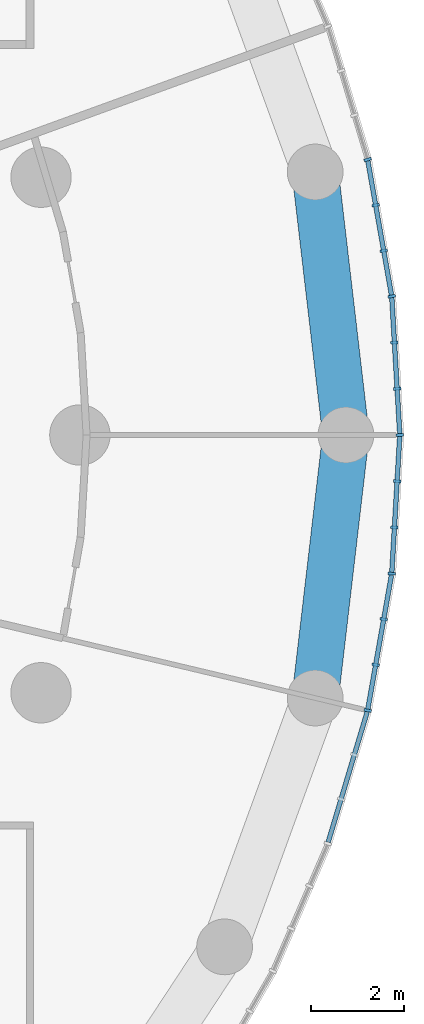
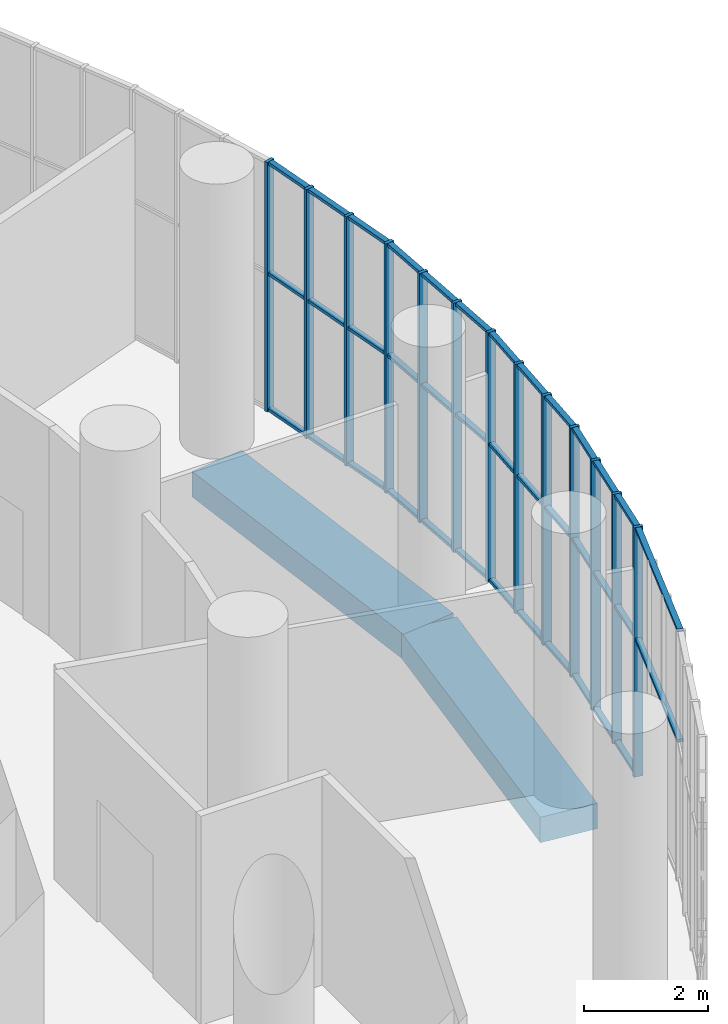
# One storey, part 6 of 21: 27 members, 2 beams, 6 elements without a shape of their own.
"""IFC4 building model written with IfcOpenShell, lengths in metres."""

from ifc_helpers import new_model, si_unit, direction, frame, origin, origin_2d, place, context, subcontext, project, spatial, rectangle, extrude, material, layer, layer_set, material_profile, profile_set, type_object, element, aggregate, save


model = new_model("IFC4")

# Units and contexts
model_context = context("Model", 3, precision=1e-05, world=origin(), true_north=direction((0.0, 1.0)))
body_context = subcontext(model_context, "Body", "Model", "MODEL_VIEW")
ifc_project = project(units=[si_unit("LENGTHUNIT", "METRE"), si_unit("AREAUNIT", "SQUARE_METRE"), si_unit("VOLUMEUNIT", "CUBIC_METRE"), si_unit("PLANEANGLEUNIT", "RADIAN"), si_unit("MASSUNIT", "GRAM", prefix="KILO")], contexts=[model_context])

# Site, building, storey
site_placement = place(None, origin())
site = spatial("IfcSite", under=ifc_project, at=site_placement, CompositionType="ELEMENT")
building_placement = place(site_placement, origin())
building = spatial("IfcBuilding", under=site, at=building_placement, Name="Tracery Tower", CompositionType="ELEMENT")
storey_placement = place(building_placement, frame((0.0, 0.0, 219.60009765625)))
storey = spatial("IfcBuildingStorey", under=building, at=storey_placement, Name="L57", CompositionType="ELEMENT", Elevation=219.60009765625)

# Beams
ifc_material_1 = material(Name="Concrete C50/60", Category="concrete")
ifc_material_profile_1 = material_profile(ifc_material_1, rectangle(XDim=1.0, YDim=0.5, at=origin_2d()), Name="RC 1000x500")
ifc_profile_set_1 = profile_set([ifc_material_profile_1], Name="Concrete C50/60")
beam_type = type_object("IfcBeamType", Name="Perimeter band beam 1000x500 under 450 slab", PredefinedType="BEAM", material=ifc_profile_set_1)
for number, where, z_axis, x_axis, name in (
    (1, (24.547607421875, 0.0, -0.7001953125), (-0.116080723252, 0.993239782575, 0.0), (-0.993239782575, -0.116080723252, 0.0), "Perimeter beam 1.00 under L57"),
    (2, (23.885986328125, -5.6611328125, -0.7001953125), (0.116080723252, 0.993239782575, 0.0), (-0.993239782575, 0.116080723252, 0.0), "Perimeter beam 1.26 under L57"),
):
    element("IfcBeam", number, at=place(storey_placement, frame(where, z_axis=z_axis, x_axis=x_axis)), inside=storey, type_object=beam_type, Name=name, PredefinedType="BEAM", context=body_context, shape_type="SweptSolid", body=[
        extrude(rectangle(XDim=1.0, YDim=0.5, at=origin_2d()), origin(), (0.0, 0.0, 1.0), 5.69970703125),
    ])

# Curtain wall, members
ifc_material_2 = material(Name="Aluminium curtain wall with tinted glass", Category="aluminium")
ifc_layer = layer(ifc_material_2, 0.159912109375)
ifc_layer_set = layer_set([ifc_layer], Name="Sky lounge 2 tracery curtain wall")
curtain_wall_type = type_object("IfcCurtainWallType", Name="Sky lounge 2 tracery curtain wall", PredefinedType="NOTDEFINED", material=ifc_layer_set)
curtain_wall_1_placement = place(storey_placement, origin())
curtain_wall_1 = element("IfcCurtainWall", 3, at=curtain_wall_1_placement, inside=storey, type_object=curtain_wall_type, Name="Sky lounge 2 curtain wall run 1", PredefinedType="NOTDEFINED")
ifc_material_3 = material(Name="Aluminium, bronze anodised", Category="aluminium")
ifc_material_profile_2 = material_profile(ifc_material_3, rectangle(XDim=0.159912109375, YDim=0.06005859375, at=origin_2d()), Name="AL 60x160")
ifc_profile_set_2 = profile_set([ifc_material_profile_2], Name="Aluminium, bronze anodised")
member_type_1 = type_object("IfcMemberType", Name="Sky lounge 2 mullion 60 x 160", PredefinedType="MULLION", material=ifc_profile_set_2)
member_1_placement = place(storey_placement, frame((25.70751953125, 0.0, 0.0), z_axis=(0.0, 0.0, 1.0), x_axis=(-0.998308158272, -0.058144828905, 0.0)))
member_1 = element("IfcMember", 4, at=member_1_placement, type_object=member_type_1, Name="Sky lounge 2 curtain wall run 1 mullion 1", PredefinedType="MULLION", context=body_context, shape_type="SweptSolid", body=[
    extrude(rectangle(XDim=0.159912109375, YDim=0.06005859375, at=origin_2d()), origin(), (0.0, 0.0, 1.0), 4.89990234375),
])
member_2_placement = place(storey_placement, frame((25.649658203125, 0.994873046875, 0.0), z_axis=(0.0, 0.0, 1.0), x_axis=(-0.998308158272, -0.058144828905, 0.0)))
member_2 = element("IfcMember", 5, at=member_2_placement, type_object=member_type_1, Name="Sky lounge 2 curtain wall run 1 mullion 2", PredefinedType="MULLION", context=body_context, shape_type="SweptSolid", body=[
    extrude(rectangle(XDim=0.159912109375, YDim=0.06005859375, at=origin_2d()), origin(), (0.0, 0.0, 1.0), 4.89990234375),
])
member_3_placement = place(storey_placement, frame((25.591552734375, 1.98974609375, 0.0), z_axis=(0.0, 0.0, 1.0), x_axis=(-0.998308158272, -0.058144828905, 0.0)))
member_3 = element("IfcMember", 6, at=member_3_placement, type_object=member_type_1, Name="Sky lounge 2 curtain wall run 1 mullion 3", PredefinedType="MULLION", context=body_context, shape_type="SweptSolid", body=[
    extrude(rectangle(XDim=0.159912109375, YDim=0.06005859375, at=origin_2d()), origin(), (0.0, 0.0, 1.0), 4.89990234375),
])

curtain_wall_2_placement = place(storey_placement, origin())
curtain_wall_2 = element("IfcCurtainWall", 7, at=curtain_wall_2_placement, inside=storey, type_object=curtain_wall_type, Name="Sky lounge 2 curtain wall run 2", PredefinedType="NOTDEFINED")
member_4_placement = place(storey_placement, frame((25.53369140625, 2.984375, 0.0), z_axis=(0.0, 0.0, 1.0), x_axis=(-0.984807753012, -0.173648177667, 0.0)))
member_4 = element("IfcMember", 8, at=member_4_placement, type_object=member_type_1, Name="Sky lounge 2 curtain wall run 2 mullion 1", PredefinedType="MULLION", context=body_context, shape_type="SweptSolid", body=[
    extrude(rectangle(XDim=0.159912109375, YDim=0.06005859375, at=origin_2d()), origin(), (0.0, 0.0, 1.0), 4.89990234375),
])
member_5_placement = place(storey_placement, frame((25.360595703125, 3.9658203125, 0.0), z_axis=(0.0, 0.0, 1.0), x_axis=(-0.984807753012, -0.173648177667, 0.0)))
member_5 = element("IfcMember", 9, at=member_5_placement, type_object=member_type_1, Name="Sky lounge 2 curtain wall run 2 mullion 2", PredefinedType="MULLION", context=body_context, shape_type="SweptSolid", body=[
    extrude(rectangle(XDim=0.159912109375, YDim=0.06005859375, at=origin_2d()), origin(), (0.0, 0.0, 1.0), 4.89990234375),
])
member_6_placement = place(storey_placement, frame((25.187744140625, 4.947265625, 0.0), z_axis=(0.0, 0.0, 1.0), x_axis=(-0.984807753012, -0.173648177667, 0.0)))
member_6 = element("IfcMember", 10, at=member_6_placement, type_object=member_type_1, Name="Sky lounge 2 curtain wall run 2 mullion 3", PredefinedType="MULLION", context=body_context, shape_type="SweptSolid", body=[
    extrude(rectangle(XDim=0.159912109375, YDim=0.06005859375, at=origin_2d()), origin(), (0.0, 0.0, 1.0), 4.89990234375),
])

# Curtain wall, member
curtain_wall_3_placement = place(storey_placement, origin())
curtain_wall_3 = element("IfcCurtainWall", 11, at=curtain_wall_3_placement, inside=storey, type_object=curtain_wall_type, Name="Sky lounge 2 curtain wall run 3", PredefinedType="NOTDEFINED")
member_7_placement = place(storey_placement, frame((25.0146484375, 5.928466796875, 0.0), z_axis=(0.0, 0.0, 1.0), x_axis=(-0.957989512314, -0.286803232717, 0.0)))
member_7 = element("IfcMember", 12, at=member_7_placement, type_object=member_type_1, Name="Sky lounge 2 curtain wall run 3 mullion 1", PredefinedType="MULLION", context=body_context, shape_type="SweptSolid", body=[
    extrude(rectangle(XDim=0.159912109375, YDim=0.06005859375, at=origin_2d()), origin(), (0.0, 0.0, 1.0), 4.89990234375),
])
aggregate(curtain_wall_3, [member_7])

# Curtain wall, members
curtain_wall_4_placement = place(storey_placement, origin())
curtain_wall_4 = element("IfcCurtainWall", 13, at=curtain_wall_4_placement, inside=storey, type_object=curtain_wall_type, Name="Sky lounge 2 curtain wall run 53", PredefinedType="NOTDEFINED")
member_8_placement = place(storey_placement, frame((25.0146484375, -5.928466796875, 0.0), z_axis=(0.0, 0.0, 1.0), x_axis=(-0.984807753012, 0.173648177667, 0.0)))
member_8 = element("IfcMember", 14, at=member_8_placement, type_object=member_type_1, Name="Sky lounge 2 curtain wall run 53 mullion 1", PredefinedType="MULLION", context=body_context, shape_type="SweptSolid", body=[
    extrude(rectangle(XDim=0.159912109375, YDim=0.06005859375, at=origin_2d()), origin(), (0.0, 0.0, 1.0), 4.89990234375),
])
member_9_placement = place(storey_placement, frame((25.187744140625, -4.947265625, 0.0), z_axis=(0.0, 0.0, 1.0), x_axis=(-0.984807753012, 0.173648177667, 0.0)))
member_9 = element("IfcMember", 15, at=member_9_placement, type_object=member_type_1, Name="Sky lounge 2 curtain wall run 53 mullion 2", PredefinedType="MULLION", context=body_context, shape_type="SweptSolid", body=[
    extrude(rectangle(XDim=0.159912109375, YDim=0.06005859375, at=origin_2d()), origin(), (0.0, 0.0, 1.0), 4.89990234375),
])
member_10_placement = place(storey_placement, frame((25.360595703125, -3.9658203125, 0.0), z_axis=(0.0, 0.0, 1.0), x_axis=(-0.984807753012, 0.173648177667, 0.0)))
member_10 = element("IfcMember", 16, at=member_10_placement, type_object=member_type_1, Name="Sky lounge 2 curtain wall run 53 mullion 3", PredefinedType="MULLION", context=body_context, shape_type="SweptSolid", body=[
    extrude(rectangle(XDim=0.159912109375, YDim=0.06005859375, at=origin_2d()), origin(), (0.0, 0.0, 1.0), 4.89990234375),
])

curtain_wall_5_placement = place(storey_placement, origin())
curtain_wall_5 = element("IfcCurtainWall", 17, at=curtain_wall_5_placement, inside=storey, type_object=curtain_wall_type, Name="Sky lounge 2 curtain wall run 54", PredefinedType="NOTDEFINED")
member_11_placement = place(storey_placement, frame((25.53369140625, -2.984375, 0.0), z_axis=(0.0, 0.0, 1.0), x_axis=(-0.998308158272, 0.058144828905, 0.0)))
member_11 = element("IfcMember", 18, at=member_11_placement, type_object=member_type_1, Name="Sky lounge 2 curtain wall run 54 mullion 1", PredefinedType="MULLION", context=body_context, shape_type="SweptSolid", body=[
    extrude(rectangle(XDim=0.159912109375, YDim=0.06005859375, at=origin_2d()), origin(), (0.0, 0.0, 1.0), 4.89990234375),
])
member_12_placement = place(storey_placement, frame((25.591552734375, -1.98974609375, 0.0), z_axis=(0.0, 0.0, 1.0), x_axis=(-0.998308158272, 0.058144828905, 0.0)))
member_12 = element("IfcMember", 19, at=member_12_placement, type_object=member_type_1, Name="Sky lounge 2 curtain wall run 54 mullion 2", PredefinedType="MULLION", context=body_context, shape_type="SweptSolid", body=[
    extrude(rectangle(XDim=0.159912109375, YDim=0.06005859375, at=origin_2d()), origin(), (0.0, 0.0, 1.0), 4.89990234375),
])
member_13_placement = place(storey_placement, frame((25.649658203125, -0.994873046875, 0.0), z_axis=(0.0, 0.0, 1.0), x_axis=(-0.998308158272, 0.058144828905, 0.0)))
member_13 = element("IfcMember", 20, at=member_13_placement, type_object=member_type_1, Name="Sky lounge 2 curtain wall run 54 mullion 3", PredefinedType="MULLION", context=body_context, shape_type="SweptSolid", body=[
    extrude(rectangle(XDim=0.159912109375, YDim=0.06005859375, at=origin_2d()), origin(), (0.0, 0.0, 1.0), 4.89990234375),
])

# Member
ifc_material_4 = material(Name="Aluminium, bronze anodised", Category="aluminium")
ifc_material_profile_3 = material_profile(ifc_material_4, rectangle(XDim=0.10009765625, YDim=0.06005859375, at=origin_2d()), Name="AL 60x100")
ifc_profile_set_3 = profile_set([ifc_material_profile_3], Name="Aluminium, bronze anodised")
member_type_2 = type_object("IfcMemberType", Name="Sky lounge 2 transom 60 x 100", PredefinedType="USERDEFINED", material=ifc_profile_set_3)
member_14_placement = place(storey_placement, frame((25.705810546875, 0.030029296875, 0.02978515625), z_axis=(-0.058169970128, 0.998306693644, 0.0), x_axis=(-0.998306693644, -0.058169970128, 0.0)))
member_14 = element("IfcMember", 21, at=member_14_placement, type_object=member_type_2, Name="Sky lounge 2 curtain wall run 1 transom 1", ObjectType="TRANSOM", PredefinedType="USERDEFINED", context=body_context, shape_type="SweptSolid", body=[
    extrude(rectangle(XDim=0.10009765625, YDim=0.06005859375, at=origin_2d()), origin(), (0.0, 0.0, 1.0), 2.929443359375),
])

member_15_placement = place(storey_placement, frame((25.705810546875, 0.030029296875, 2.699951171875), z_axis=(-0.058169970128, 0.998306693644, 0.0), x_axis=(-0.998306693644, -0.058169970128, 0.0)))
member_15 = element("IfcMember", 22, at=member_15_placement, type_object=member_type_2, Name="Sky lounge 2 curtain wall run 1 transom 2", ObjectType="TRANSOM", PredefinedType="USERDEFINED", context=body_context, shape_type="SweptSolid", body=[
    extrude(rectangle(XDim=0.10009765625, YDim=0.06005859375, at=origin_2d()), origin(), (0.0, 0.0, 1.0), 2.929443359375),
])

member_16_placement = place(storey_placement, frame((25.705810546875, 0.030029296875, 4.869873046875), z_axis=(-0.058169970128, 0.998306693644, 0.0), x_axis=(-0.998306693644, -0.058169970128, 0.0)))
member_16 = element("IfcMember", 23, at=member_16_placement, type_object=member_type_2, Name="Sky lounge 2 curtain wall run 1 transom 3", ObjectType="TRANSOM", PredefinedType="USERDEFINED", context=body_context, shape_type="SweptSolid", body=[
    extrude(rectangle(XDim=0.10009765625, YDim=0.06005859375, at=origin_2d()), origin(), (0.0, 0.0, 1.0), 2.929443359375),
])

aggregate(curtain_wall_1, [member_1, member_2, member_3, member_14, member_15, member_16])

member_17_placement = place(storey_placement, frame((25.528564453125, 3.013916015625, 0.02978515625), z_axis=(-0.173675986925, 0.984802849085, 0.0), x_axis=(-0.984802849085, -0.173675986925, 0.0)))
member_17 = element("IfcMember", 24, at=member_17_placement, type_object=member_type_2, Name="Sky lounge 2 curtain wall run 2 transom 1", ObjectType="TRANSOM", PredefinedType="USERDEFINED", context=body_context, shape_type="SweptSolid", body=[
    extrude(rectangle(XDim=0.10009765625, YDim=0.06005859375, at=origin_2d()), origin(), (0.0, 0.0, 1.0), 2.929443359375),
])

member_18_placement = place(storey_placement, frame((25.528564453125, 3.013916015625, 2.699951171875), z_axis=(-0.173675986925, 0.984802849085, 0.0), x_axis=(-0.984802849085, -0.173675986925, 0.0)))
member_18 = element("IfcMember", 25, at=member_18_placement, type_object=member_type_2, Name="Sky lounge 2 curtain wall run 2 transom 2", ObjectType="TRANSOM", PredefinedType="USERDEFINED", context=body_context, shape_type="SweptSolid", body=[
    extrude(rectangle(XDim=0.10009765625, YDim=0.06005859375, at=origin_2d()), origin(), (0.0, 0.0, 1.0), 2.929443359375),
])

member_19_placement = place(storey_placement, frame((25.528564453125, 3.013916015625, 4.869873046875), z_axis=(-0.173675986925, 0.984802849085, 0.0), x_axis=(-0.984802849085, -0.173675986925, 0.0)))
member_19 = element("IfcMember", 26, at=member_19_placement, type_object=member_type_2, Name="Sky lounge 2 curtain wall run 2 transom 3", ObjectType="TRANSOM", PredefinedType="USERDEFINED", context=body_context, shape_type="SweptSolid", body=[
    extrude(rectangle(XDim=0.10009765625, YDim=0.06005859375, at=origin_2d()), origin(), (0.0, 0.0, 1.0), 2.929443359375),
])

aggregate(curtain_wall_2, [member_4, member_5, member_6, member_17, member_18, member_19])

# Curtain wall, members
curtain_wall_6_placement = place(storey_placement, origin())
curtain_wall_6 = element("IfcCurtainWall", 27, at=curtain_wall_6_placement, inside=storey, type_object=curtain_wall_type, Name="Sky lounge 2 curtain wall run 52", PredefinedType="NOTDEFINED")
member_20_placement = place(storey_placement, frame((24.165771484375, -8.763671875, 2.699951171875), z_axis=(0.286850874601, 0.957975247979, 0.0), x_axis=(-0.957975247979, 0.286850874601, 0.0)))
member_20 = element("IfcMember", 28, at=member_20_placement, type_object=member_type_2, Name="Sky lounge 2 curtain wall run 52 transom 2", ObjectType="TRANSOM", PredefinedType="USERDEFINED", context=body_context, shape_type="SweptSolid", body=[
    extrude(rectangle(XDim=0.10009765625, YDim=0.06005859375, at=origin_2d()), origin(), (0.0, 0.0, 1.0), 2.929443359375),
])
member_21_placement = place(storey_placement, frame((24.165771484375, -8.763671875, 4.869873046875), z_axis=(0.286850874601, 0.957975247979, 0.0), x_axis=(-0.957975247979, 0.286850874601, 0.0)))
member_21 = element("IfcMember", 29, at=member_21_placement, type_object=member_type_2, Name="Sky lounge 2 curtain wall run 52 transom 3", ObjectType="TRANSOM", PredefinedType="USERDEFINED", context=body_context, shape_type="SweptSolid", body=[
    extrude(rectangle(XDim=0.10009765625, YDim=0.06005859375, at=origin_2d()), origin(), (0.0, 0.0, 1.0), 2.929443359375),
])
aggregate(curtain_wall_6, [member_20, member_21])

# Member
member_22_placement = place(storey_placement, frame((25.019775390625, -5.89892578125, 0.02978515625), z_axis=(0.173675986925, 0.984802849085, 0.0), x_axis=(-0.984802849085, 0.173675986925, 0.0)))
member_22 = element("IfcMember", 30, at=member_22_placement, type_object=member_type_2, Name="Sky lounge 2 curtain wall run 53 transom 1", ObjectType="TRANSOM", PredefinedType="USERDEFINED", context=body_context, shape_type="SweptSolid", body=[
    extrude(rectangle(XDim=0.10009765625, YDim=0.06005859375, at=origin_2d()), origin(), (0.0, 0.0, 1.0), 2.929443359375),
])

member_23_placement = place(storey_placement, frame((25.019775390625, -5.89892578125, 2.699951171875), z_axis=(0.173675986925, 0.984802849085, 0.0), x_axis=(-0.984802849085, 0.173675986925, 0.0)))
member_23 = element("IfcMember", 31, at=member_23_placement, type_object=member_type_2, Name="Sky lounge 2 curtain wall run 53 transom 2", ObjectType="TRANSOM", PredefinedType="USERDEFINED", context=body_context, shape_type="SweptSolid", body=[
    extrude(rectangle(XDim=0.10009765625, YDim=0.06005859375, at=origin_2d()), origin(), (0.0, 0.0, 1.0), 2.929443359375),
])

member_24_placement = place(storey_placement, frame((25.019775390625, -5.89892578125, 4.869873046875), z_axis=(0.173675986925, 0.984802849085, 0.0), x_axis=(-0.984802849085, 0.173675986925, 0.0)))
member_24 = element("IfcMember", 32, at=member_24_placement, type_object=member_type_2, Name="Sky lounge 2 curtain wall run 53 transom 3", ObjectType="TRANSOM", PredefinedType="USERDEFINED", context=body_context, shape_type="SweptSolid", body=[
    extrude(rectangle(XDim=0.10009765625, YDim=0.06005859375, at=origin_2d()), origin(), (0.0, 0.0, 1.0), 2.929443359375),
])

aggregate(curtain_wall_4, [member_8, member_9, member_10, member_22, member_23, member_24])

member_25_placement = place(storey_placement, frame((25.535400390625, -2.95458984375, 0.02978515625), z_axis=(0.058169970128, 0.998306693644, 0.0), x_axis=(-0.998306693644, 0.058169970128, 0.0)))
member_25 = element("IfcMember", 33, at=member_25_placement, type_object=member_type_2, Name="Sky lounge 2 curtain wall run 54 transom 1", ObjectType="TRANSOM", PredefinedType="USERDEFINED", context=body_context, shape_type="SweptSolid", body=[
    extrude(rectangle(XDim=0.10009765625, YDim=0.06005859375, at=origin_2d()), origin(), (0.0, 0.0, 1.0), 2.929443359375),
])

member_26_placement = place(storey_placement, frame((25.535400390625, -2.95458984375, 2.699951171875), z_axis=(0.058169970128, 0.998306693644, 0.0), x_axis=(-0.998306693644, 0.058169970128, 0.0)))
member_26 = element("IfcMember", 34, at=member_26_placement, type_object=member_type_2, Name="Sky lounge 2 curtain wall run 54 transom 2", ObjectType="TRANSOM", PredefinedType="USERDEFINED", context=body_context, shape_type="SweptSolid", body=[
    extrude(rectangle(XDim=0.10009765625, YDim=0.06005859375, at=origin_2d()), origin(), (0.0, 0.0, 1.0), 2.929443359375),
])

member_27_placement = place(storey_placement, frame((25.535400390625, -2.95458984375, 4.869873046875), z_axis=(0.058169970128, 0.998306693644, 0.0), x_axis=(-0.998306693644, 0.058169970128, 0.0)))
member_27 = element("IfcMember", 35, at=member_27_placement, type_object=member_type_2, Name="Sky lounge 2 curtain wall run 54 transom 3", ObjectType="TRANSOM", PredefinedType="USERDEFINED", context=body_context, shape_type="SweptSolid", body=[
    extrude(rectangle(XDim=0.10009765625, YDim=0.06005859375, at=origin_2d()), origin(), (0.0, 0.0, 1.0), 2.929443359375),
])

aggregate(curtain_wall_5, [member_11, member_12, member_13, member_25, member_26, member_27])

save(model, "model.ifc")
